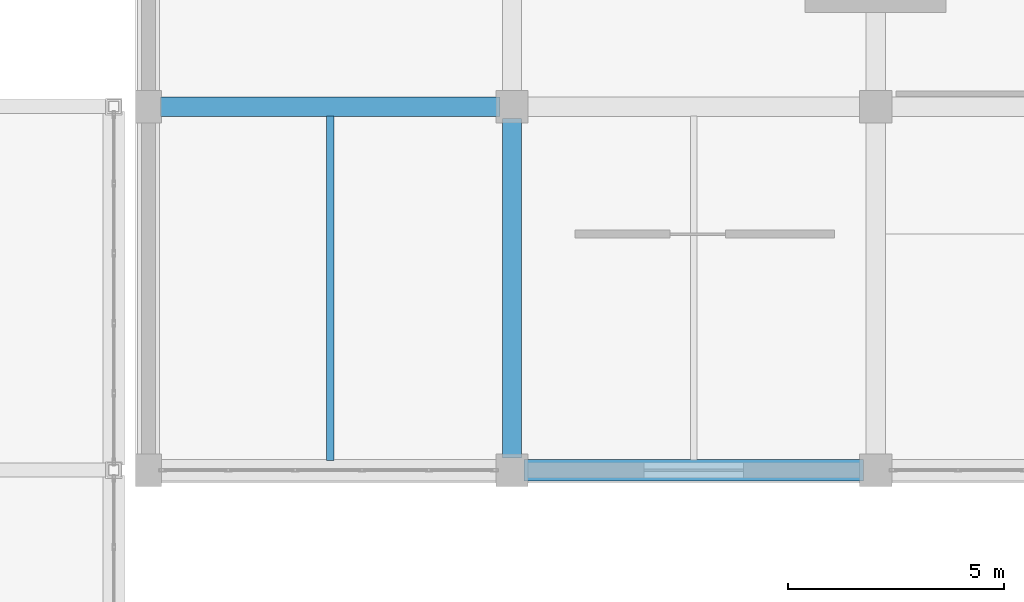
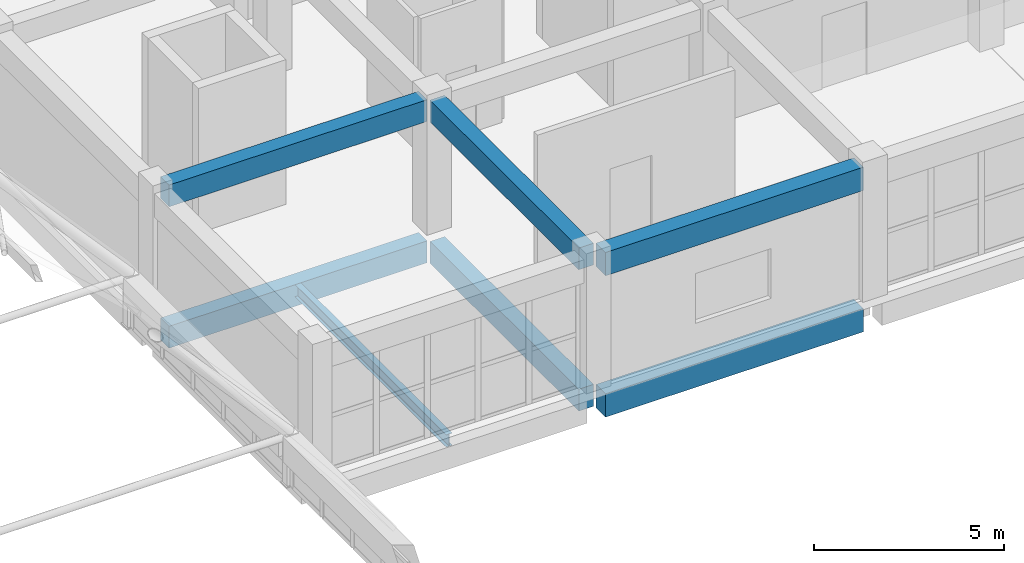
# One storey, part 72 of 114: 7 beams.
"""IFC4 building model written with IfcOpenShell, lengths in metres."""

from ifc_helpers import new_model, si_unit, direction, frame, origin, origin_2d, place, context, subcontext, project, spatial, rectangle, i_section, extrude, material, material_profile, profile_set, type_object, element, save


model = new_model("IFC4")

# Units and contexts
model_context = context("Model", 3, precision=1e-05, world=origin(), true_north=direction((0.0, 1.0)))
body_context = subcontext(model_context, "Body", "Model", "MODEL_VIEW")
ifc_project = project(units=[si_unit("LENGTHUNIT", "METRE"), si_unit("AREAUNIT", "SQUARE_METRE"), si_unit("VOLUMEUNIT", "CUBIC_METRE"), si_unit("PLANEANGLEUNIT", "RADIAN"), si_unit("MASSUNIT", "GRAM", prefix="KILO")], contexts=[model_context])

# Site, building, storey
site_placement = place(None, origin())
site = spatial("IfcSite", under=ifc_project, at=site_placement, CompositionType="ELEMENT")
building_placement = place(site_placement, origin())
building = spatial("IfcBuilding", under=site, at=building_placement, Name="Xazarin Passage Department Store", CompositionType="ELEMENT")
storey_placement = place(building_placement, frame((0.0, 0.0, 14.39990234375)))
storey = spatial("IfcBuildingStorey", under=building, at=storey_placement, Name="L03", CompositionType="ELEMENT", Elevation=14.39990234375)

# Beams
ifc_material_1 = material(Name="Concrete C35/45", Category="concrete")
ifc_material_profile_1 = material_profile(ifc_material_1, rectangle(XDim=0.449951171875, YDim=0.699951171875, at=origin_2d()), Name="RC 450x700")
ifc_profile_set_1 = profile_set([ifc_material_profile_1], Name="Concrete C35/45")
beam_type_1 = type_object("IfcBeamType", Name="STR-BM-G450x700", PredefinedType="BEAM", material=ifc_profile_set_1)
beam_1_placement = place(storey_placement, frame((102.679931640625, 93.199951171875, -0.64990234375), z_axis=(1.0, 0.0, 0.0), x_axis=(0.0, 1.0, 0.0)))
element("IfcBeam", 1, at=beam_1_placement, inside=storey, type_object=beam_type_1, Name="L03 Grid Beam N/15-16", PredefinedType="BEAM", context=body_context, shape_type="SweptSolid", body=[
    extrude(rectangle(XDim=0.449951171875, YDim=0.699951171875, at=origin_2d()), origin(), (0.0, 0.0, 1.0), 7.840087890625),
])
beam_2_placement = place(storey_placement, frame((110.800048828125, 85.080078125, -0.64990234375), z_axis=(0.0, 1.0, 0.0), x_axis=(-1.0, 0.0, 0.0)))
element("IfcBeam", 2, at=beam_2_placement, inside=storey, type_object=beam_type_1, Name="L03 Grid Beam 16/M-N", PredefinedType="BEAM", context=body_context, shape_type="SweptSolid", body=[
    extrude(rectangle(XDim=0.449951171875, YDim=0.699951171875, at=origin_2d()), origin(), (0.0, 0.0, 1.0), 7.83984375),
])
beam_3_placement = place(storey_placement, frame((102.679931640625, 93.199951171875, 3.89013671875), z_axis=(1.0, 0.0, 0.0), x_axis=(0.0, 1.0, 0.0)))
element("IfcBeam", 3, at=beam_3_placement, inside=storey, type_object=beam_type_1, Name="L03 Grid Beam N/15-16", PredefinedType="BEAM", context=body_context, shape_type="SweptSolid", body=[
    extrude(rectangle(XDim=0.449951171875, YDim=0.699951171875, at=origin_2d()), origin(), (0.0, 0.0, 1.0), 7.840087890625),
])
beam_4_placement = place(storey_placement, frame((110.800048828125, 85.080078125, 3.89013671875), z_axis=(0.0, 1.0, 0.0), x_axis=(-1.0, 0.0, 0.0)))
element("IfcBeam", 4, at=beam_4_placement, inside=storey, type_object=beam_type_1, Name="L03 Grid Beam 16/M-N", PredefinedType="BEAM", context=body_context, shape_type="SweptSolid", body=[
    extrude(rectangle(XDim=0.449951171875, YDim=0.699951171875, at=origin_2d()), origin(), (0.0, 0.0, 1.0), 7.83984375),
])
ifc_material_2 = material(Name="Steel S355", Category="steel")
ifc_material_profile_2 = material_profile(ifc_material_2, i_section(OverallWidth=0.179931640625, OverallDepth=0.39990234375, WebThickness=0.008544921875, FlangeThickness=0.013427734375, FilletRadius=0.02099609375, at=origin_2d()), Name="IPE 400")
ifc_profile_set_2 = profile_set([ifc_material_profile_2], Name="Steel S355")
beam_type_2 = type_object("IfcBeamType", Name="STR-BM-SEC400", PredefinedType="JOIST", material=ifc_profile_set_2)
beam_5_placement = place(storey_placement, frame((106.60009765625, 85.02001953125, -0.5), z_axis=(0.0, 1.0, 0.0), x_axis=(-1.0, 0.0, 0.0)))
element("IfcBeam", 5, at=beam_5_placement, inside=storey, type_object=beam_type_2, Name="L03 Stockroom Secondary Joist 06", PredefinedType="JOIST", context=body_context, shape_type="SweptSolid", body=[
    extrude(i_section(OverallWidth=0.179931640625, OverallDepth=0.39990234375, WebThickness=0.008544921875, FlangeThickness=0.013427734375, FilletRadius=0.02099609375, at=origin_2d()), origin(), (0.0, 0.0, 1.0), 7.9599609375),
])
ifc_material_profile_3 = material_profile(ifc_material_1, rectangle(XDim=0.5, YDim=0.75, at=origin_2d()), Name="RC 500x750")
ifc_profile_set_3 = profile_set([ifc_material_profile_3], Name="Concrete C35/45")
beam_type_3 = type_object("IfcBeamType", Name="STR-BM-SP500x750", PredefinedType="SPANDREL", material=ifc_profile_set_3)
for number, where, z_axis, x_axis, name in (
    (6, (111.080078125, 84.800048828125, -0.6748046875), (1.0, 0.0, 0.0), (0.0, 1.0, 0.0), "L03 Grid Beam M/16-17"),
    (7, (111.080078125, 84.800048828125, 3.864990234375), (1.0, 0.0, 0.0), (0.0, 1.0, 0.0), "L03 Grid Beam M/16-17"),
):
    element("IfcBeam", number, at=place(storey_placement, frame(where, z_axis=z_axis, x_axis=x_axis)), inside=storey, type_object=beam_type_3, Name=name, PredefinedType="SPANDREL", context=body_context, shape_type="SweptSolid", body=[
        extrude(rectangle(XDim=0.5, YDim=0.75, at=origin_2d()), origin(), (0.0, 0.0, 1.0), 7.83984375),
    ])

save(model, "model.ifc")
